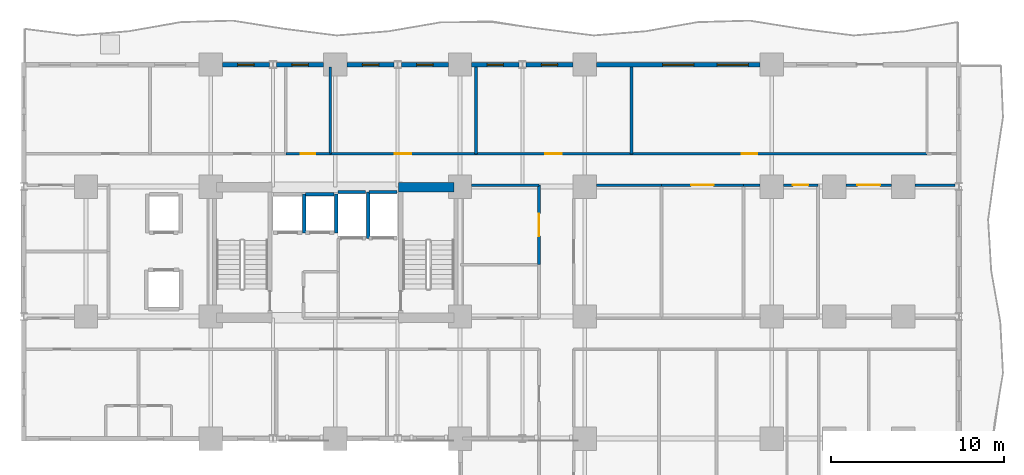
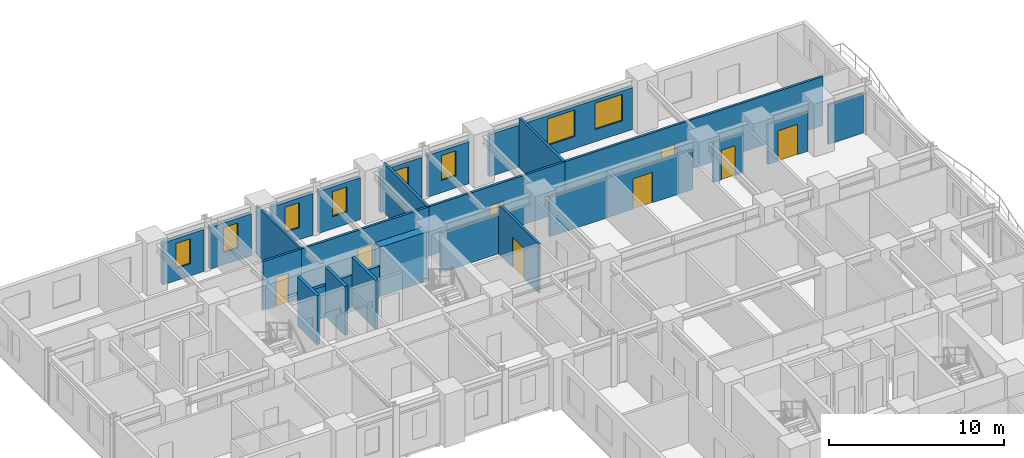
# One storey, part 7 of 11: 29 walls, 8 doors, 8 windows, 16 openings.
"""IFC4 building model written with IfcOpenShell, lengths in metres."""

from ifc_helpers import new_model, si_unit, direction, frame, frame_2d, origin, place, context, subcontext, project, spatial, rectangle, extrude, material, layer, layer_set, type_object, element, fill, save


model = new_model("IFC4")

# Units and contexts
model_context = context("Model", 3, precision=1e-05, world=origin(), true_north=direction((0.0, 1.0)))
body_context = subcontext(model_context, "Body", "Model", "MODEL_VIEW")
ifc_project = project(units=[si_unit("LENGTHUNIT", "METRE"), si_unit("AREAUNIT", "SQUARE_METRE"), si_unit("VOLUMEUNIT", "CUBIC_METRE"), si_unit("PLANEANGLEUNIT", "RADIAN"), si_unit("MASSUNIT", "GRAM", prefix="KILO")], contexts=[model_context])

# Site, building, storey
site_placement = place(None, origin())
site = spatial("IfcSite", under=ifc_project, at=site_placement, CompositionType="ELEMENT")
building_placement = place(site_placement, origin())
building = spatial("IfcBuilding", under=site, at=building_placement, Name="Kaliganga Portal Commons", CompositionType="ELEMENT")
storey_placement = place(building_placement, frame((0.0, 0.0, 36.39990234375)))
storey = spatial("IfcBuildingStorey", under=building, at=storey_placement, Name="L08", CompositionType="ELEMENT", Elevation=36.39990234375)

# Wall
ifc_material_1 = material(Name="Concrete C60/75", Category="concrete")
ifc_layer_1 = layer(ifc_material_1, 0.550048828125)
ifc_layer_set_1 = layer_set([ifc_layer_1], Name="Concrete C60/75")
wall_type_1 = type_object("IfcWallType", Name="WL-CORE-550", PredefinedType="SHEAR", material=ifc_layer_set_1)
wall_1_placement = place(storey_placement, frame((25.25, 36.125, 0.0), z_axis=(0.0, 0.0, 1.0), x_axis=(1.0, 0.0, 0.0)))
element("IfcWall", 1, at=wall_1_placement, inside=storey, type_object=wall_type_1, Name="Core A N-East Shear Wall L08", PredefinedType="SHEAR", context=body_context, shape_type="SweptSolid", body=[
    extrude(rectangle(XDim=3.199951171875, YDim=0.550048828125, at=frame_2d((1.60009765625, 0.0))), origin(), (0.0, 0.0, 1.0), 3.4501953125),
])

# Wall, openings, windows
ifc_material_2 = material(Name="Insulated Aluminium-Clad Spandrel Assembly", Category="aluminium")
ifc_layer_2 = layer(ifc_material_2, 0.260009765625)
ifc_layer_set_2 = layer_set([ifc_layer_2], Name="Insulated Aluminium-Clad Spandrel Assembly")
wall_type_2 = type_object("IfcWallType", Name="WL-EXT-SPAND-260", PredefinedType="STANDARD", material=ifc_layer_set_2)
wall_2_placement = place(storey_placement, frame((36.676025390625, 43.199951171875, 0.0), z_axis=(0.0, 0.0, 1.0), x_axis=(1.0, 0.0, 0.0)))
wall_2 = element("IfcWall", 2, at=wall_2_placement, inside=storey, type_object=wall_type_2, Name="Exterior Envelope Wall L08 P1-E02-S2", PredefinedType="STANDARD", context=body_context, shape_type="SweptSolid", body=[
    extrude(rectangle(XDim=9.447998046875, YDim=0.260009765625, at=frame_2d((4.72412109375, 0.0))), origin(), (0.0, 0.0, 1.0), 2.93017578125),
])
opening_1_placement = place(wall_2_placement, frame((3.823974609375, 0.0, 0.85009765625)))
opening_1 = element("IfcOpeningElement", 3, at=opening_1_placement, cuts=wall_2, Name="Opening W-01", PredefinedType="OPENING", context=body_context, shape_type="SweptSolid", body=[
    extrude(rectangle(XDim=1.800048828125, YDim=1.85009765625, at=frame_2d((0.89990234375, 0.925048828125))), frame((0.0, 0.14013671875, 0.0), z_axis=(0.0, -1.0, 0.0), x_axis=(1.0, 0.0, 0.0)), (0.0, 0.0, 1.0), 0.280029296875),
])
opening_2_placement = place(wall_2_placement, frame((6.973388671875, 0.0, 0.85009765625)))
opening_2 = element("IfcOpeningElement", 4, at=opening_2_placement, cuts=wall_2, Name="Opening W-01", PredefinedType="OPENING", context=body_context, shape_type="SweptSolid", body=[
    extrude(rectangle(XDim=1.800048828125, YDim=1.85009765625, at=frame_2d((0.89990234375, 0.925048828125))), frame((0.0, 0.14013671875, 0.0), z_axis=(0.0, -1.0, 0.0), x_axis=(1.0, 0.0, 0.0)), (0.0, 0.0, 1.0), 0.280029296875),
])
ifc_material_3 = material(Name="Thermally Broken Aluminium and Low-E Double Glazing", Category="aluminium")
window_type_1 = type_object("IfcWindowType", Name="WIN-STD-1800", PartitioningType="DOUBLE_PANEL_VERTICAL", PredefinedType="WINDOW", material=ifc_material_3)
window_1_placement = place(opening_1_placement, origin())
window_1 = element("IfcWindow", 5, at=window_1_placement, inside=storey, type_object=window_type_1, Name="Facade Window L08-P1E02S2-01", OverallHeight=1.85009765625, OverallWidth=1.800048828125, PartitioningType="SINGLE_PANEL", PredefinedType="WINDOW", context=body_context, shape_type="SweptSolid", body=[
    extrude(rectangle(XDim=1.800048828125, YDim=1.85009765625, at=frame_2d((0.89990234375, 0.925048828125))), frame((0.0, 0.030029296875, 0.0), z_axis=(0.0, -1.0, 0.0), x_axis=(1.0, 0.0, 0.0)), (0.0, 0.0, 1.0), 0.06005859375),
])
fill(opening_1, window_1)
window_2_placement = place(opening_2_placement, origin())
window_2 = element("IfcWindow", 6, at=window_2_placement, inside=storey, type_object=window_type_1, Name="Facade Window L08-P1E02S2-02", OverallHeight=1.85009765625, OverallWidth=1.800048828125, PartitioningType="SINGLE_PANEL", PredefinedType="WINDOW", context=body_context, shape_type="SweptSolid", body=[
    extrude(rectangle(XDim=1.800048828125, YDim=1.85009765625, at=frame_2d((0.89990234375, 0.925048828125))), frame((0.0, 0.030029296875, 0.0), z_axis=(0.0, -1.0, 0.0), x_axis=(1.0, 0.0, 0.0)), (0.0, 0.0, 1.0), 0.06005859375),
])
fill(opening_2, window_2)

# Wall, opening, window
wall_3_placement = place(storey_placement, frame((32.60888671875, 43.199951171875, 0.0), z_axis=(0.0, 0.0, 1.0), x_axis=(1.0, 0.0, 0.0)))
wall_3 = element("IfcWall", 7, at=wall_3_placement, inside=storey, type_object=wall_type_2, Name="Exterior Envelope Wall L08 P1-E02-S3", PredefinedType="STANDARD", context=body_context, shape_type="SweptSolid", body=[
    extrude(rectangle(XDim=2.715087890625, YDim=0.260009765625, at=frame_2d((1.357421875, 0.0))), origin(), (0.0, 0.0, 1.0), 2.93017578125),
])
opening_3_placement = place(wall_3_placement, frame((0.882568359375, 0.0, 0.85009765625)))
opening_3 = element("IfcOpeningElement", 8, at=opening_3_placement, cuts=wall_3, Name="Opening W-04", PredefinedType="OPENING", context=body_context, shape_type="SweptSolid", body=[
    extrude(rectangle(XDim=0.949951171875, YDim=1.75, at=frame_2d((0.47509765625, 0.875))), frame((0.0, 0.14013671875, 0.0), z_axis=(0.0, -1.0, 0.0), x_axis=(1.0, 0.0, 0.0)), (0.0, 0.0, 1.0), 0.280029296875),
])
window_type_2 = type_object("IfcWindowType", Name="WIN-NARROW-950", PartitioningType="SINGLE_PANEL", PredefinedType="WINDOW", material=ifc_material_3)
window_3_placement = place(opening_3_placement, origin())
window_3 = element("IfcWindow", 9, at=window_3_placement, inside=storey, type_object=window_type_2, Name="Facade Window L08-P1E02S3-00", OverallHeight=1.75, OverallWidth=0.949951171875, PartitioningType="SINGLE_PANEL", PredefinedType="WINDOW", context=body_context, shape_type="SweptSolid", body=[
    extrude(rectangle(XDim=0.949951171875, YDim=1.75, at=frame_2d((0.47509765625, 0.875))), frame((0.0, 0.030029296875, 0.0), z_axis=(0.0, -1.0, 0.0), x_axis=(1.0, 0.0, 0.0)), (0.0, 0.0, 1.0), 0.06005859375),
])
fill(opening_3, window_3)

wall_4_placement = place(storey_placement, frame((29.47607421875, 43.199951171875, 0.0), z_axis=(0.0, 0.0, 1.0), x_axis=(1.0, 0.0, 0.0)))
wall_4 = element("IfcWall", 10, at=wall_4_placement, inside=storey, type_object=wall_type_2, Name="Exterior Envelope Wall L08 P1-E02-S4", PredefinedType="STANDARD", context=body_context, shape_type="SweptSolid", body=[
    extrude(rectangle(XDim=2.71484375, YDim=0.260009765625, at=frame_2d((1.357421875, 0.0))), origin(), (0.0, 0.0, 1.0), 2.93017578125),
])
opening_4_placement = place(wall_4_placement, frame((0.882568359375, 0.0, 0.85009765625)))
opening_4 = element("IfcOpeningElement", 11, at=opening_4_placement, cuts=wall_4, Name="Opening W-04", PredefinedType="OPENING", context=body_context, shape_type="SweptSolid", body=[
    extrude(rectangle(XDim=0.949951171875, YDim=1.75, at=frame_2d((0.47509765625, 0.875))), frame((0.0, 0.14013671875, 0.0), z_axis=(0.0, -1.0, 0.0), x_axis=(1.0, 0.0, 0.0)), (0.0, 0.0, 1.0), 0.280029296875),
])
window_4_placement = place(opening_4_placement, origin())
window_4 = element("IfcWindow", 12, at=window_4_placement, inside=storey, type_object=window_type_2, Name="Facade Window L08-P1E02S4-00", OverallHeight=1.75, OverallWidth=0.949951171875, PartitioningType="SINGLE_PANEL", PredefinedType="WINDOW", context=body_context, shape_type="SweptSolid", body=[
    extrude(rectangle(XDim=0.949951171875, YDim=1.75, at=frame_2d((0.47509765625, 0.875))), frame((0.0, 0.030029296875, 0.0), z_axis=(0.0, -1.0, 0.0), x_axis=(1.0, 0.0, 0.0)), (0.0, 0.0, 1.0), 0.06005859375),
])
fill(opening_4, window_4)

wall_5_placement = place(storey_placement, frame((25.408935546875, 43.199951171875, 0.0), z_axis=(0.0, 0.0, 1.0), x_axis=(1.0, 0.0, 0.0)))
wall_5 = element("IfcWall", 13, at=wall_5_placement, inside=storey, type_object=wall_type_2, Name="Exterior Envelope Wall L08 P1-E02-S5", PredefinedType="STANDARD", context=body_context, shape_type="SweptSolid", body=[
    extrude(rectangle(XDim=2.715087890625, YDim=0.260009765625, at=frame_2d((1.357421875, 0.0))), origin(), (0.0, 0.0, 1.0), 2.93017578125),
])
opening_5_placement = place(wall_5_placement, frame((0.882568359375, 0.0, 0.85009765625)))
opening_5 = element("IfcOpeningElement", 14, at=opening_5_placement, cuts=wall_5, Name="Opening W-04", PredefinedType="OPENING", context=body_context, shape_type="SweptSolid", body=[
    extrude(rectangle(XDim=0.949951171875, YDim=1.75, at=frame_2d((0.47509765625, 0.875))), frame((0.0, 0.14013671875, 0.0), z_axis=(0.0, -1.0, 0.0), x_axis=(1.0, 0.0, 0.0)), (0.0, 0.0, 1.0), 0.280029296875),
])
window_5_placement = place(opening_5_placement, origin())
window_5 = element("IfcWindow", 15, at=window_5_placement, inside=storey, type_object=window_type_2, Name="Facade Window L08-P1E02S5-00", OverallHeight=1.75, OverallWidth=0.949951171875, PartitioningType="SINGLE_PANEL", PredefinedType="WINDOW", context=body_context, shape_type="SweptSolid", body=[
    extrude(rectangle(XDim=0.949951171875, YDim=1.75, at=frame_2d((0.47509765625, 0.875))), frame((0.0, 0.030029296875, 0.0), z_axis=(0.0, -1.0, 0.0), x_axis=(1.0, 0.0, 0.0)), (0.0, 0.0, 1.0), 0.06005859375),
])
fill(opening_5, window_5)

wall_6_placement = place(storey_placement, frame((22.27587890625, 43.199951171875, 0.0), z_axis=(0.0, 0.0, 1.0), x_axis=(1.0, 0.0, 0.0)))
wall_6 = element("IfcWall", 16, at=wall_6_placement, inside=storey, type_object=wall_type_2, Name="Exterior Envelope Wall L08 P1-E02-S6", PredefinedType="STANDARD", context=body_context, shape_type="SweptSolid", body=[
    extrude(rectangle(XDim=2.715087890625, YDim=0.260009765625, at=frame_2d((1.357421875, 0.0))), origin(), (0.0, 0.0, 1.0), 2.93017578125),
])
opening_6_placement = place(wall_6_placement, frame((0.882568359375, 0.0, 0.85009765625)))
opening_6 = element("IfcOpeningElement", 17, at=opening_6_placement, cuts=wall_6, Name="Opening W-04", PredefinedType="OPENING", context=body_context, shape_type="SweptSolid", body=[
    extrude(rectangle(XDim=0.949951171875, YDim=1.75, at=frame_2d((0.47509765625, 0.875))), frame((0.0, 0.14013671875, 0.0), z_axis=(0.0, -1.0, 0.0), x_axis=(1.0, 0.0, 0.0)), (0.0, 0.0, 1.0), 0.280029296875),
])
window_6_placement = place(opening_6_placement, origin())
window_6 = element("IfcWindow", 18, at=window_6_placement, inside=storey, type_object=window_type_2, Name="Facade Window L08-P1E02S6-00", OverallHeight=1.75, OverallWidth=0.949951171875, PartitioningType="SINGLE_PANEL", PredefinedType="WINDOW", context=body_context, shape_type="SweptSolid", body=[
    extrude(rectangle(XDim=0.949951171875, YDim=1.75, at=frame_2d((0.47509765625, 0.875))), frame((0.0, 0.030029296875, 0.0), z_axis=(0.0, -1.0, 0.0), x_axis=(1.0, 0.0, 0.0)), (0.0, 0.0, 1.0), 0.06005859375),
])
fill(opening_6, window_6)

wall_7_placement = place(storey_placement, frame((18.208984375, 43.199951171875, 0.0), z_axis=(0.0, 0.0, 1.0), x_axis=(1.0, 0.0, 0.0)))
wall_7 = element("IfcWall", 19, at=wall_7_placement, inside=storey, type_object=wall_type_2, Name="Exterior Envelope Wall L08 P1-E02-S7", PredefinedType="STANDARD", context=body_context, shape_type="SweptSolid", body=[
    extrude(rectangle(XDim=2.715087890625, YDim=0.260009765625, at=frame_2d((1.357421875, 0.0))), origin(), (0.0, 0.0, 1.0), 2.93017578125),
])
opening_7_placement = place(wall_7_placement, frame((0.882568359375, 0.0, 0.85009765625)))
opening_7 = element("IfcOpeningElement", 20, at=opening_7_placement, cuts=wall_7, Name="Opening W-04", PredefinedType="OPENING", context=body_context, shape_type="SweptSolid", body=[
    extrude(rectangle(XDim=0.949951171875, YDim=1.75, at=frame_2d((0.47509765625, 0.875))), frame((0.0, 0.14013671875, 0.0), z_axis=(0.0, -1.0, 0.0), x_axis=(1.0, 0.0, 0.0)), (0.0, 0.0, 1.0), 0.280029296875),
])
window_7_placement = place(opening_7_placement, origin())
window_7 = element("IfcWindow", 21, at=window_7_placement, inside=storey, type_object=window_type_2, Name="Facade Window L08-P1E02S7-00", OverallHeight=1.75, OverallWidth=0.949951171875, PartitioningType="SINGLE_PANEL", PredefinedType="WINDOW", context=body_context, shape_type="SweptSolid", body=[
    extrude(rectangle(XDim=0.949951171875, YDim=1.75, at=frame_2d((0.47509765625, 0.875))), frame((0.0, 0.030029296875, 0.0), z_axis=(0.0, -1.0, 0.0), x_axis=(1.0, 0.0, 0.0)), (0.0, 0.0, 1.0), 0.06005859375),
])
fill(opening_7, window_7)

wall_8_placement = place(storey_placement, frame((15.075927734375, 43.199951171875, 0.0), z_axis=(0.0, 0.0, 1.0), x_axis=(1.0, 0.0, 0.0)))
wall_8 = element("IfcWall", 22, at=wall_8_placement, inside=storey, type_object=wall_type_2, Name="Exterior Envelope Wall L08 P1-E02-S8", PredefinedType="STANDARD", context=body_context, shape_type="SweptSolid", body=[
    extrude(rectangle(XDim=2.715087890625, YDim=0.260009765625, at=frame_2d((1.357421875, 0.0))), origin(), (0.0, 0.0, 1.0), 2.93017578125),
])
opening_8_placement = place(wall_8_placement, frame((0.882568359375, 0.0, 0.85009765625)))
opening_8 = element("IfcOpeningElement", 23, at=opening_8_placement, cuts=wall_8, Name="Opening W-04", PredefinedType="OPENING", context=body_context, shape_type="SweptSolid", body=[
    extrude(rectangle(XDim=0.949951171875, YDim=1.75, at=frame_2d((0.47509765625, 0.875))), frame((0.0, 0.14013671875, 0.0), z_axis=(0.0, -1.0, 0.0), x_axis=(1.0, 0.0, 0.0)), (0.0, 0.0, 1.0), 0.280029296875),
])
window_8_placement = place(opening_8_placement, origin())
window_8 = element("IfcWindow", 24, at=window_8_placement, inside=storey, type_object=window_type_2, Name="Facade Window L08-P1E02S8-00", OverallHeight=1.75, OverallWidth=0.949951171875, PartitioningType="SINGLE_PANEL", PredefinedType="WINDOW", context=body_context, shape_type="SweptSolid", body=[
    extrude(rectangle(XDim=0.949951171875, YDim=1.75, at=frame_2d((0.47509765625, 0.875))), frame((0.0, 0.030029296875, 0.0), z_axis=(0.0, -1.0, 0.0), x_axis=(1.0, 0.0, 0.0)), (0.0, 0.0, 1.0), 0.06005859375),
])
fill(opening_8, window_8)

# Wall, opening, door
ifc_material_4 = material(Name="Fire-Rated Gypsum Board on Steel Stud", Category="steel")
ifc_layer_3 = layer(ifc_material_4, 0.14990234375)
ifc_layer_set_3 = layer_set([ifc_layer_3], Name="Fire-Rated Gypsum Board on Steel Stud")
wall_type_3 = type_object("IfcWallType", Name="WL-PART-CORR-150", PredefinedType="PARTITIONING", material=ifc_layer_set_3)
wall_9_placement = place(storey_placement, frame((38.699951171875, 38.0400390625, 0.0), z_axis=(0.0, 0.0, 1.0), x_axis=(1.0, 0.0, 0.0)))
wall_9 = element("IfcWall", 25, at=wall_9_placement, inside=storey, type_object=wall_type_3, Name="Interior Partition L08-006", PredefinedType="PARTITIONING", context=body_context, shape_type="SweptSolid", body=[
    extrude(rectangle(XDim=17.06005859375, YDim=0.14990234375, at=frame_2d((8.530029296875, 0.0))), origin(), (0.0, 0.0, 1.0), 3.43017578125),
])
opening_9_placement = place(wall_9_placement, frame((6.3740234375, 0.0, 0.0)))
opening_9 = element("IfcOpeningElement", 26, at=opening_9_placement, cuts=wall_9, Name="Opening RD-01", PredefinedType="OPENING", context=body_context, shape_type="SweptSolid", body=[
    extrude(rectangle(XDim=0.89990234375, YDim=2.080078125, at=frame_2d((0.449951171875, 1.0400390625))), frame((0.0, 0.0849609375, 0.0), z_axis=(0.0, -1.0, 0.0), x_axis=(1.0, 0.0, 0.0)), (0.0, 0.0, 1.0), 0.169921875),
])
ifc_material_5 = material(Name="Engineered Timber Flush Door", Category="wood")
door_type_1 = type_object("IfcDoorType", Name="DR-ROOM-900", OperationType="NOTDEFINED", PredefinedType="DOOR", material=ifc_material_5)
door_1_placement = place(opening_9_placement, origin())
door_1 = element("IfcDoor", 27, at=door_1_placement, inside=storey, type_object=door_type_1, Name="Interior Door L08-AN06", OperationType="SINGLE_SWING_RIGHT", OverallHeight=2.080078125, OverallWidth=0.89990234375, PredefinedType="DOOR", context=body_context, shape_type="SweptSolid", body=[
    extrude(rectangle(XDim=0.89990234375, YDim=2.080078125, at=frame_2d((0.449951171875, 1.0400390625))), frame((0.0, 0.02490234375, 0.0), z_axis=(0.0, -1.0, 0.0), x_axis=(1.0, 0.0, 0.0)), (0.0, 0.0, 1.0), 0.050048828125),
])
fill(opening_9, door_1)

wall_10_placement = place(storey_placement, frame((29.719970703125, 38.0400390625, 0.0), z_axis=(0.0, 0.0, 1.0), x_axis=(1.0, 0.0, 0.0)))
wall_10 = element("IfcWall", 28, at=wall_10_placement, inside=storey, type_object=wall_type_3, Name="Interior Partition L08-010", PredefinedType="PARTITIONING", context=body_context, shape_type="SweptSolid", body=[
    extrude(rectangle(XDim=8.97998046875, YDim=0.14990234375, at=frame_2d((4.489990234375, 0.0))), origin(), (0.0, 0.0, 1.0), 3.43017578125),
])
opening_10_placement = place(wall_10_placement, frame((4.014892578125, 0.0, 0.0)))
opening_10 = element("IfcOpeningElement", 29, at=opening_10_placement, cuts=wall_10, Name="Opening UD-01", PredefinedType="OPENING", context=body_context, shape_type="SweptSolid", body=[
    extrude(rectangle(XDim=0.949951171875, YDim=2.10009765625, at=frame_2d((0.47509765625, 1.050048828125))), frame((0.0, 0.0849609375, 0.0), z_axis=(0.0, -1.0, 0.0), x_axis=(1.0, 0.0, 0.0)), (0.0, 0.0, 1.0), 0.169921875),
])
ifc_material_6 = material(Name="Solid-Core Timber Acoustic Fire Door", Category="wood")
door_type_2 = type_object("IfcDoorType", Name="DR-UNIT-950", OperationType="NOTDEFINED", PredefinedType="DOOR", material=ifc_material_6)
door_2_placement = place(opening_10_placement, origin())
door_2 = element("IfcDoor", 30, at=door_2_placement, inside=storey, type_object=door_type_2, Name="Interior Door L08-AN05", OperationType="SINGLE_SWING_LEFT", OverallHeight=2.10009765625, OverallWidth=0.949951171875, PredefinedType="DOOR", context=body_context, shape_type="SweptSolid", body=[
    extrude(rectangle(XDim=0.949951171875, YDim=2.10009765625, at=frame_2d((0.47509765625, 1.050048828125))), frame((0.0, 0.02490234375, 0.0), z_axis=(0.0, -1.0, 0.0), x_axis=(1.0, 0.0, 0.0)), (0.0, 0.0, 1.0), 0.050048828125),
])
fill(opening_10, door_2)

wall_11_placement = place(storey_placement, frame((21.300048828125, 38.0400390625, 0.0), z_axis=(0.0, 0.0, 1.0), x_axis=(1.0, 0.0, 0.0)))
wall_11 = element("IfcWall", 31, at=wall_11_placement, inside=storey, type_object=wall_type_3, Name="Interior Partition L08-012", PredefinedType="PARTITIONING", context=body_context, shape_type="SweptSolid", body=[
    extrude(rectangle(XDim=8.419921875, YDim=0.14990234375, at=frame_2d((4.2099609375, 0.0))), origin(), (0.0, 0.0, 1.0), 3.43017578125),
])
opening_11_placement = place(wall_11_placement, frame((3.735107421875, 0.0, 0.0)))
opening_11 = element("IfcOpeningElement", 32, at=opening_11_placement, cuts=wall_11, Name="Opening UD-01", PredefinedType="OPENING", context=body_context, shape_type="SweptSolid", body=[
    extrude(rectangle(XDim=0.949951171875, YDim=2.10009765625, at=frame_2d((0.47509765625, 1.050048828125))), frame((0.0, 0.0849609375, 0.0), z_axis=(0.0, -1.0, 0.0), x_axis=(1.0, 0.0, 0.0)), (0.0, 0.0, 1.0), 0.169921875),
])
door_3_placement = place(opening_11_placement, origin())
door_3 = element("IfcDoor", 33, at=door_3_placement, inside=storey, type_object=door_type_2, Name="Interior Door L08-AN04", OperationType="SINGLE_SWING_LEFT", OverallHeight=2.10009765625, OverallWidth=0.949951171875, PredefinedType="DOOR", context=body_context, shape_type="SweptSolid", body=[
    extrude(rectangle(XDim=0.949951171875, YDim=2.10009765625, at=frame_2d((0.47509765625, 1.050048828125))), frame((0.0, 0.02490234375, 0.0), z_axis=(0.0, -1.0, 0.0), x_axis=(1.0, 0.0, 0.0)), (0.0, 0.0, 1.0), 0.050048828125),
])
fill(opening_11, door_3)

wall_12_placement = place(storey_placement, frame((51.074951171875, 36.239990234375, 0.0), z_axis=(0.0, 0.0, 1.0), x_axis=(1.0, 0.0, 0.0)))
wall_12 = element("IfcWall", 34, at=wall_12_placement, inside=storey, type_object=wall_type_3, Name="Interior Partition L08-013", PredefinedType="PARTITIONING", context=body_context, shape_type="SweptSolid", body=[
    extrude(rectangle(XDim=2.650146484375, YDim=0.14990234375, at=frame_2d((1.3251953125, 0.0))), origin(), (0.0, 0.0, 1.0), 2.780029296875),
])
opening_12_placement = place(wall_12_placement, frame((0.675048828125, 0.0, 0.0)))
opening_12 = element("IfcOpeningElement", 35, at=opening_12_placement, cuts=wall_12, Name="Opening RD-03", PredefinedType="OPENING", context=body_context, shape_type="SweptSolid", body=[
    extrude(rectangle(XDim=1.300048828125, YDim=2.1201171875, at=frame_2d((0.64990234375, 1.06005859375))), frame((0.0, 0.0849609375, 0.0), z_axis=(0.0, -1.0, 0.0), x_axis=(1.0, 0.0, 0.0)), (0.0, 0.0, 1.0), 0.169921875),
])
ifc_material_7 = material(Name="Glazed Timber Seminar Vision Door", Category="wood")
door_type_3 = type_object("IfcDoorType", Name="DR-STUDY-1300", OperationType="DOUBLE_DOOR_SINGLE_SWING", PredefinedType="DOOR", material=ifc_material_7)
door_4_placement = place(opening_12_placement, origin())
door_4 = element("IfcDoor", 36, at=door_4_placement, inside=storey, type_object=door_type_3, Name="Interior Door L08-BK04", OperationType="DOUBLE_DOOR_SINGLE_SWING", OverallHeight=2.1201171875, OverallWidth=1.300048828125, PredefinedType="DOOR", context=body_context, shape_type="SweptSolid", body=[
    extrude(rectangle(XDim=1.300048828125, YDim=2.1201171875, at=frame_2d((0.64990234375, 1.06005859375))), frame((0.0, 0.02490234375, 0.0), z_axis=(0.0, -1.0, 0.0), x_axis=(1.0, 0.0, 0.0)), (0.0, 0.0, 1.0), 0.050048828125),
])
fill(opening_12, door_4)

# Walls
wall_13_placement = place(storey_placement, frame((55.074951171875, 36.239990234375, 0.0), z_axis=(0.0, 0.0, 1.0), x_axis=(1.0, 0.0, 0.0)))
element("IfcWall", 37, at=wall_13_placement, inside=storey, type_object=wall_type_3, Name="Interior Partition L08-014", PredefinedType="PARTITIONING", context=body_context, shape_type="SweptSolid", body=[
    extrude(rectangle(XDim=2.317138671875, YDim=0.14990234375, at=frame_2d((1.15869140625, 0.0))), origin(), (0.0, 0.0, 1.0), 2.780029296875),
])
wall_14_placement = place(storey_placement, frame((36.675048828125, 36.239990234375, 0.0), z_axis=(0.0, 0.0, 1.0), x_axis=(1.0, 0.0, 0.0)))
element("IfcWall", 38, at=wall_14_placement, inside=storey, type_object=wall_type_3, Name="Interior Partition L08-031", PredefinedType="PARTITIONING", context=body_context, shape_type="SweptSolid", body=[
    extrude(rectangle(XDim=3.764892578125, YDim=0.14990234375, at=frame_2d((1.88232421875, 0.0))), origin(), (0.0, 0.0, 1.0), 2.780029296875),
])

# Wall, opening, door
wall_15_placement = place(storey_placement, frame((40.43994140625, 36.239990234375, 0.0), z_axis=(0.0, 0.0, 1.0), x_axis=(1.0, 0.0, 0.0)))
wall_15 = element("IfcWall", 39, at=wall_15_placement, inside=storey, type_object=wall_type_3, Name="Interior Partition L08-037", PredefinedType="PARTITIONING", context=body_context, shape_type="SweptSolid", body=[
    extrude(rectangle(XDim=4.719970703125, YDim=0.14990234375, at=frame_2d((2.35986328125, 0.0))), origin(), (0.0, 0.0, 1.0), 2.780029296875),
])
opening_13_placement = place(wall_15_placement, frame((1.7099609375, 0.0, 0.0)))
opening_13 = element("IfcOpeningElement", 40, at=opening_13_placement, cuts=wall_15, Name="Opening RD-03", PredefinedType="OPENING", context=body_context, shape_type="SweptSolid", body=[
    extrude(rectangle(XDim=1.300048828125, YDim=2.1201171875, at=frame_2d((0.64990234375, 1.06005859375))), frame((0.0, 0.0849609375, 0.0), z_axis=(0.0, -1.0, 0.0), x_axis=(1.0, 0.0, 0.0)), (0.0, 0.0, 1.0), 0.169921875),
])
door_5_placement = place(opening_13_placement, origin())
door_5 = element("IfcDoor", 41, at=door_5_placement, inside=storey, type_object=door_type_3, Name="Interior Door L08-BK02", OperationType="DOUBLE_DOOR_SINGLE_SWING", OverallHeight=2.1201171875, OverallWidth=1.300048828125, PredefinedType="DOOR", context=body_context, shape_type="SweptSolid", body=[
    extrude(rectangle(XDim=1.300048828125, YDim=2.1201171875, at=frame_2d((0.64990234375, 1.06005859375))), frame((0.0, 0.02490234375, 0.0), z_axis=(0.0, -1.0, 0.0), x_axis=(1.0, 0.0, 0.0)), (0.0, 0.0, 1.0), 0.050048828125),
])
fill(opening_13, door_5)

wall_16_placement = place(storey_placement, frame((33.360107421875, 31.639892578125, 0.0), z_axis=(0.0, 0.0, 1.0), x_axis=(0.0, 1.0, 0.0)))
wall_16 = element("IfcWall", 42, at=wall_16_placement, inside=storey, type_object=wall_type_3, Name="Interior Partition L08-038", PredefinedType="PARTITIONING", context=body_context, shape_type="SweptSolid", body=[
    extrude(rectangle(XDim=4.60009765625, YDim=0.14990234375, at=frame_2d((2.300048828125, 0.0))), origin(), (0.0, 0.0, 1.0), 3.43017578125),
])
opening_14_placement = place(wall_16_placement, frame((1.64990234375, 0.0, 0.0)))
opening_14 = element("IfcOpeningElement", 43, at=opening_14_placement, cuts=wall_16, Name="Opening RD-03", PredefinedType="OPENING", context=body_context, shape_type="SweptSolid", body=[
    extrude(rectangle(XDim=1.300048828125, YDim=2.1201171875, at=frame_2d((0.64990234375, 1.06005859375))), frame((0.0, 0.0849609375, 0.0), z_axis=(0.0, -1.0, 0.0), x_axis=(1.0, 0.0, 0.0)), (0.0, 0.0, 1.0), 0.169921875),
])
door_6_placement = place(opening_14_placement, origin())
door_6 = element("IfcDoor", 44, at=door_6_placement, inside=storey, type_object=door_type_3, Name="Interior Door L08-CSRV_A2", OperationType="DOUBLE_DOOR_SINGLE_SWING", OverallHeight=2.1201171875, OverallWidth=1.300048828125, PredefinedType="DOOR", context=body_context, shape_type="SweptSolid", body=[
    extrude(rectangle(XDim=1.300048828125, YDim=2.1201171875, at=frame_2d((0.64990234375, 1.06005859375))), frame((0.0, 0.02490234375, 0.0), z_axis=(0.0, -1.0, 0.0), x_axis=(1.0, 0.0, 0.0)), (0.0, 0.0, 1.0), 0.050048828125),
])
fill(opening_14, door_6)

# Walls
wall_17_placement = place(storey_placement, frame((29.47509765625, 36.239990234375, 0.0), z_axis=(0.0, 0.0, 1.0), x_axis=(1.0, 0.0, 0.0)))
element("IfcWall", 45, at=wall_17_placement, inside=storey, type_object=wall_type_3, Name="Interior Partition L08-041", PredefinedType="PARTITIONING", context=body_context, shape_type="SweptSolid", body=[
    extrude(rectangle(XDim=3.885009765625, YDim=0.14990234375, at=frame_2d((1.9423828125, 0.0))), origin(), (0.0, 0.0, 1.0), 2.780029296875),
])
wall_18_placement = place(storey_placement, frame((45.159912109375, 36.239990234375, 0.0), z_axis=(0.0, 0.0, 1.0), x_axis=(1.0, 0.0, 0.0)))
element("IfcWall", 46, at=wall_18_placement, inside=storey, type_object=wall_type_3, Name="Interior Partition L08-042", PredefinedType="PARTITIONING", context=body_context, shape_type="SweptSolid", body=[
    extrude(rectangle(XDim=0.965087890625, YDim=0.14990234375, at=frame_2d((0.482421875, 0.0))), origin(), (0.0, 0.0, 1.0), 2.780029296875),
])

# Wall, opening, door
wall_19_placement = place(storey_placement, frame((47.47509765625, 36.239990234375, 0.0), z_axis=(0.0, 0.0, 1.0), x_axis=(1.0, 0.0, 0.0)))
wall_19 = element("IfcWall", 47, at=wall_19_placement, inside=storey, type_object=wall_type_3, Name="Interior Partition L08-043", PredefinedType="PARTITIONING", context=body_context, shape_type="SweptSolid", body=[
    extrude(rectangle(XDim=1.98486328125, YDim=0.14990234375, at=frame_2d((0.992431640625, 0.0))), origin(), (0.0, 0.0, 1.0), 2.780029296875),
])
opening_15_placement = place(wall_19_placement, frame((0.54248046875, 0.0, 0.0)))
opening_15 = element("IfcOpeningElement", 48, at=opening_15_placement, cuts=wall_19, Name="Opening RD-01", PredefinedType="OPENING", context=body_context, shape_type="SweptSolid", body=[
    extrude(rectangle(XDim=0.89990234375, YDim=2.080078125, at=frame_2d((0.449951171875, 1.0400390625))), frame((0.0, 0.0849609375, 0.0), z_axis=(0.0, -1.0, 0.0), x_axis=(1.0, 0.0, 0.0)), (0.0, 0.0, 1.0), 0.169921875),
])
door_7_placement = place(opening_15_placement, origin())
door_7 = element("IfcDoor", 49, at=door_7_placement, inside=storey, type_object=door_type_1, Name="Interior Door L08-BK03", OperationType="SINGLE_SWING_RIGHT", OverallHeight=2.080078125, OverallWidth=0.89990234375, PredefinedType="DOOR", context=body_context, shape_type="SweptSolid", body=[
    extrude(rectangle(XDim=0.89990234375, YDim=2.080078125, at=frame_2d((0.449951171875, 1.0400390625))), frame((0.0, 0.02490234375, 0.0), z_axis=(0.0, -1.0, 0.0), x_axis=(1.0, 0.0, 0.0)), (0.0, 0.0, 1.0), 0.050048828125),
])
fill(opening_15, door_7)

wall_20_placement = place(storey_placement, frame((18.739990234375, 38.0400390625, 0.0), z_axis=(0.0, 0.0, 1.0), x_axis=(1.0, 0.0, 0.0)))
wall_20 = element("IfcWall", 50, at=wall_20_placement, inside=storey, type_object=wall_type_3, Name="Interior Partition L08-053", PredefinedType="PARTITIONING", context=body_context, shape_type="SweptSolid", body=[
    extrude(rectangle(XDim=2.56005859375, YDim=0.14990234375, at=frame_2d((1.280029296875, 0.0))), origin(), (0.0, 0.0, 1.0), 3.43017578125),
])
opening_16_placement = place(wall_20_placement, frame((0.85498046875, 0.0, 0.0)))
opening_16 = element("IfcOpeningElement", 51, at=opening_16_placement, cuts=wall_20, Name="Opening WD-01", PredefinedType="OPENING", context=body_context, shape_type="SweptSolid", body=[
    extrude(rectangle(XDim=0.85009765625, YDim=2.0400390625, at=frame_2d((0.425048828125, 1.02001953125))), frame((0.0, 0.0849609375, 0.0), z_axis=(0.0, -1.0, 0.0), x_axis=(1.0, 0.0, 0.0)), (0.0, 0.0, 1.0), 0.169921875),
])
ifc_material_8 = material(Name="Moisture-Resistant Laminate Timber Door", Category="wood")
door_type_4 = type_object("IfcDoorType", Name="DR-WET-850", OperationType="NOTDEFINED", PredefinedType="DOOR", material=ifc_material_8)
door_8_placement = place(opening_16_placement, origin())
door_8 = element("IfcDoor", 52, at=door_8_placement, inside=storey, type_object=door_type_4, Name="Interior Door L08-AN03", OperationType="SINGLE_SWING_LEFT", OverallHeight=2.0400390625, OverallWidth=0.85009765625, PredefinedType="DOOR", context=body_context, shape_type="SweptSolid", body=[
    extrude(rectangle(XDim=0.85009765625, YDim=2.0400390625, at=frame_2d((0.425048828125, 1.02001953125))), frame((0.0, 0.02490234375, 0.0), z_axis=(0.0, -1.0, 0.0), x_axis=(1.0, 0.0, 0.0)), (0.0, 0.0, 1.0), 0.050048828125),
])
fill(opening_16, door_8)

# Walls
ifc_material_9 = material(Name="Twin-Stud Acoustic Gypsum Partition", Category="gypsum")
ifc_layer_4 = layer(ifc_material_9, 0.1650390625)
ifc_layer_set_4 = layer_set([ifc_layer_4], Name="Twin-Stud Acoustic Gypsum Partition")
wall_type_4 = type_object("IfcWallType", Name="WL-PART-UNIT-165", PredefinedType="PARTITIONING", material=ifc_layer_set_4)
for number, where, z_axis, x_axis, name in (
    (53, (29.719970703125, 38.0400390625, 0.0), (0.0, 0.0, 1.0), (0.0, 1.0, 0.0), "Interior Partition L08-072"),
    (54, (38.699951171875, 38.0400390625, 0.0), (0.0, 0.0, 1.0), (0.0, 1.0, 0.0), "Interior Partition L08-073"),
):
    element("IfcWall", number, at=place(storey_placement, frame(where, z_axis=z_axis, x_axis=x_axis)), inside=storey, type_object=wall_type_4, Name=name, PredefinedType="PARTITIONING", context=body_context, shape_type="SweptSolid", body=[
        extrude(rectangle(XDim=5.028076171875, YDim=0.1650390625, at=frame_2d((2.51416015625, 0.0))), origin(), (0.0, 0.0, 1.0), 3.43017578125),
    ])
ifc_material_10 = material(Name="Cement-Board Wet-Room Partition", Category="gypsum")
ifc_layer_5 = layer(ifc_material_10, 0.135009765625)
ifc_layer_set_5 = layer_set([ifc_layer_5], Name="Cement-Board Wet-Room Partition")
wall_type_5 = type_object("IfcWallType", Name="WL-PART-WET-135", PredefinedType="PARTITIONING", material=ifc_layer_set_5)
wall_21_placement = place(storey_placement, frame((21.300048828125, 38.0400390625, 0.0), z_axis=(0.0, 0.0, 1.0), x_axis=(0.0, 1.0, 0.0)))
element("IfcWall", 55, at=wall_21_placement, inside=storey, type_object=wall_type_5, Name="Interior Partition L08-071", PredefinedType="PARTITIONING", context=body_context, shape_type="SweptSolid", body=[
    extrude(rectangle(XDim=5.028076171875, YDim=0.135009765625, at=frame_2d((2.51416015625, 0.0))), origin(), (0.0, 0.0, 1.0), 3.43017578125),
])
ifc_material_11 = material(Name="Fire-Rated Shaftwall Masonry Assembly", Category="masonry")
ifc_layer_6 = layer(ifc_material_11, 0.199951171875)
ifc_layer_set_6 = layer_set([ifc_layer_6], Name="Fire-Rated Shaftwall Masonry Assembly")
wall_type_6 = type_object("IfcWallType", Name="WL-SHAFT-200", PredefinedType="PARTITIONING", material=ifc_layer_set_6)
wall_22_placement = place(storey_placement, frame((19.81494140625, 33.485107421875, 0.0), z_axis=(0.0, 0.0, 1.0), x_axis=(0.0, 1.0, 0.0)))
element("IfcWall", 56, at=wall_22_placement, inside=storey, type_object=wall_type_6, Name="Lift PL-A1 Hoistway Shaft Wall L08-E", PredefinedType="PARTITIONING", context=body_context, shape_type="SweptSolid", body=[
    extrude(rectangle(XDim=2.22998046875, YDim=0.199951171875, at=frame_2d((1.114990234375, 0.0))), origin(), (0.0, 0.0, 1.0), 3.43017578125),
])
wall_23_placement = place(storey_placement, frame((19.875, 35.715087890625, 0.0), z_axis=(0.0, 0.0, 1.0), x_axis=(1.0, 0.0, 0.0)))
element("IfcWall", 57, at=wall_23_placement, inside=storey, type_object=wall_type_6, Name="Lift PL-A2 Hoistway Shaft Wall L08-N", PredefinedType="PARTITIONING", context=body_context, shape_type="SweptSolid", body=[
    extrude(rectangle(XDim=1.64990234375, YDim=0.199951171875, at=frame_2d((0.824951171875, 0.0))), origin(), (0.0, 0.0, 1.0), 2.22998046875),
])
wall_24_placement = place(storey_placement, frame((21.6650390625, 33.485107421875, 0.0), z_axis=(0.0, 0.0, 1.0), x_axis=(0.0, 1.0, 0.0)))
element("IfcWall", 58, at=wall_24_placement, inside=storey, type_object=wall_type_6, Name="Lift PL-A2 Hoistway Shaft Wall L08-E", PredefinedType="PARTITIONING", context=body_context, shape_type="SweptSolid", body=[
    extrude(rectangle(XDim=2.22998046875, YDim=0.199951171875, at=frame_2d((1.114990234375, 0.0))), origin(), (0.0, 0.0, 1.0), 3.43017578125),
])
wall_25_placement = place(storey_placement, frame((21.75, 35.840087890625, 0.0), z_axis=(0.0, 0.0, 1.0), x_axis=(1.0, 0.0, 0.0)))
element("IfcWall", 59, at=wall_25_placement, inside=storey, type_object=wall_type_6, Name="Lift FFL-1 Hoistway Shaft Wall L08-N", PredefinedType="PARTITIONING", context=body_context, shape_type="SweptSolid", body=[
    extrude(rectangle(XDim=1.60009765625, YDim=0.199951171875, at=frame_2d((0.800048828125, 0.0))), origin(), (0.0, 0.0, 1.0), 2.22998046875),
])
wall_26_placement = place(storey_placement, frame((23.489990234375, 33.159912109375, 0.0), z_axis=(0.0, 0.0, 1.0), x_axis=(0.0, 1.0, 0.0)))
element("IfcWall", 60, at=wall_26_placement, inside=storey, type_object=wall_type_6, Name="Lift FFL-1 Hoistway Shaft Wall L08-E", PredefinedType="PARTITIONING", context=body_context, shape_type="SweptSolid", body=[
    extrude(rectangle(XDim=2.68017578125, YDim=0.199951171875, at=frame_2d((1.340087890625, 0.0))), origin(), (0.0, 0.0, 1.0), 3.43017578125),
])
wall_27_placement = place(storey_placement, frame((23.550048828125, 35.840087890625, 0.0), z_axis=(0.0, 0.0, 1.0), x_axis=(1.0, 0.0, 0.0)))
element("IfcWall", 61, at=wall_27_placement, inside=storey, type_object=wall_type_6, Name="Lift FFL-2 Hoistway Shaft Wall L08-N", PredefinedType="PARTITIONING", context=body_context, shape_type="SweptSolid", body=[
    extrude(rectangle(XDim=1.599853515625, YDim=0.199951171875, at=frame_2d((0.7998046875, 0.0))), origin(), (0.0, 0.0, 1.0), 2.22998046875),
])

save(model, "model.ifc")
